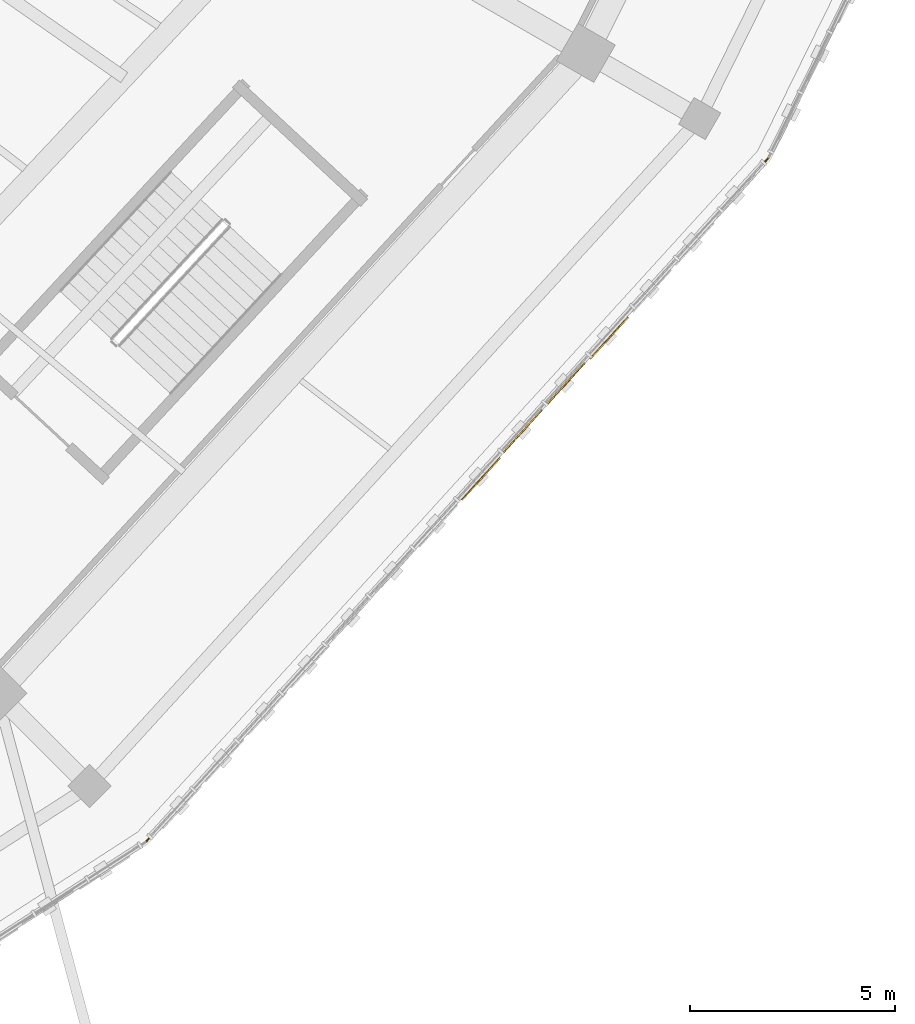
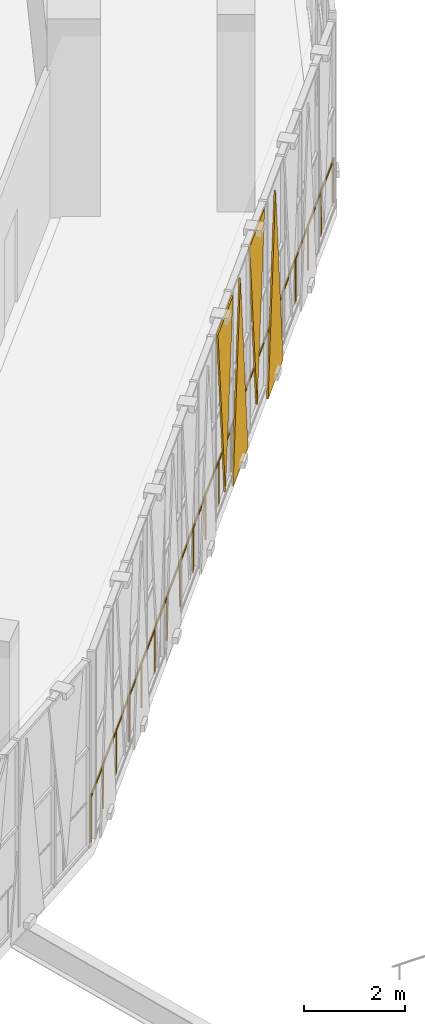
# One storey, part 147 of 179: 4 coverings, 1 railing.
"""IFC4 building model written with IfcOpenShell, lengths in metres."""

from ifc_helpers import new_model, si_unit, direction, frame, origin, origin_2d, place, context, subcontext, project, spatial, polyline, circle, outline, extrude, material, layer, layer_set, type_object, element, save


model = new_model("IFC4")

# Units and contexts
model_context = context("Model", 3, precision=1e-05, world=origin(), true_north=direction((0.0, 1.0)))
body_context = subcontext(model_context, "Body", "Model", "MODEL_VIEW")
ifc_project = project(units=[si_unit("LENGTHUNIT", "METRE"), si_unit("AREAUNIT", "SQUARE_METRE"), si_unit("VOLUMEUNIT", "CUBIC_METRE"), si_unit("PLANEANGLEUNIT", "RADIAN"), si_unit("MASSUNIT", "GRAM", prefix="KILO")], contexts=[model_context])

# Site, building, storey
site_placement = place(None, origin())
site = spatial("IfcSite", under=ifc_project, at=site_placement, CompositionType="ELEMENT")
building_placement = place(site_placement, origin())
building = spatial("IfcBuilding", under=site, at=building_placement, Name="Zevraka Park Crest Stadium", CompositionType="ELEMENT")
storey_placement = place(building_placement, frame((0.0, 0.0, 10.199951171875)))
storey = spatial("IfcBuildingStorey", under=building, at=storey_placement, Name="L02", CompositionType="ELEMENT", Elevation=10.199951171875)

# Coverings
ifc_material_1 = material(Name="Architectural golden-bronze perforated aluminium", Category="aluminium")
ifc_layer = layer(ifc_material_1, 0.034912109375)
ifc_layer_set = layer_set([ifc_layer], Name="Architectural golden-bronze perforated aluminium")
covering_type = type_object("IfcCoveringType", Name="CLD01", PredefinedType="CLADDING", material=ifc_layer_set)
covering_1_placement = place(storey_placement, frame((188.10400390625, 44.498046875, 4.47998046875), z_axis=(-0.73952552216, 0.673128493854, 0.000181206503), x_axis=(-0.673128504906, -0.739525534301, 0.0)))
element("IfcCovering", 1, at=covering_1_placement, inside=storey, type_object=covering_type, Name="Triangular Golden-Bronze Perforated Cladding L02-21-8", PredefinedType="CLADDING", context=body_context, shape_type="SweptSolid", body=[
    extrude(outline(polyline([(0.0, 0.0), (1.386221890693398, -2.710505431213761e-20), (0.6929882508091156, -4.26000983556541), (0.0, 0.0)])), origin(), (0.0, 0.0, -1.0), 0.034912109375),
])
covering_2_placement = place(storey_placement, frame((188.2119140625, 44.615966796875, -0.239990234375), z_axis=(0.739525527736, -0.67312849893, 0.000133244662), x_axis=(0.673128504906, 0.739525534301, 0.0)))
element("IfcCovering", 2, at=covering_2_placement, inside=storey, type_object=covering_type, Name="Triangular Golden-Bronze Perforated Cladding L02-21-9", PredefinedType="CLADDING", context=body_context, shape_type="SweptSolid", body=[
    extrude(outline(polyline([(0.0, 0.0), (1.386221890693398, 0.0), (0.6930530916581348, 4.560058634229961), (0.0, 0.0)])), origin(), (0.0, 0.0, -1.0), 0.034912109375),
])
covering_3_placement = place(storey_placement, frame((190.18505859375, 46.784912109375, 4.47998046875), z_axis=(0.739445708947, -0.673216174272, 0.00016191895), x_axis=(-0.673216183098, -0.73944571864, 0.0)))
element("IfcCovering", 3, at=covering_3_placement, inside=storey, type_object=covering_type, Name="Triangular Golden-Bronze Perforated Cladding L02-21-10", PredefinedType="CLADDING", context=body_context, shape_type="SweptSolid", body=[
    extrude(outline(polyline([(0.0, 0.0), (1.3860413522097383, -1.3552527156068805e-20), (0.693053014745271, 4.2600098214689295), (0.0, 0.0)])), origin(), (0.0, 0.0, -1.0), 0.034912109375),
])
covering_4_placement = place(storey_placement, frame((190.29296875, 46.903076171875, -0.239990234375), z_axis=(-0.739445718622, 0.673216183081, 7.091716e-06), x_axis=(0.673216183098, 0.73944571864, 0.0)))
element("IfcCovering", 4, at=covering_4_placement, inside=storey, type_object=covering_type, Name="Triangular Golden-Bronze Perforated Cladding L02-21-11", PredefinedType="CLADDING", context=body_context, shape_type="SweptSolid", body=[
    extrude(outline(polyline([(0.0, 0.0), (1.3860413522097383, -8.470329472543003e-22), (0.6937104524240771, -4.560058593864668), (0.0, 0.0)])), origin(), (0.0, 0.0, -1.0), 0.034912109375),
])

# Railing
ifc_material_2 = material(Name="Galvanised and bronze-finished steel balustrade", Category="steel")
railing_type = type_object("IfcRailingType", Name="GR01", PredefinedType="GUARDRAIL", material=ifc_material_2)
railing_placement = place(storey_placement, frame((194.64697265625, 51.7900390625, 0.0)))
element("IfcRailing", 5, at=railing_placement, inside=storey, type_object=railing_type, Name="Deck Edge Protection Guardrail GR01 L02-24", PredefinedType="GUARDRAIL", context=body_context, shape_type="SweptSolid", body=[
    extrude(circle(Radius=0.02392578125, at=origin_2d()), frame((0.0, 0.0, 1.076171875), z_axis=(-0.673170013171, -0.739487750654, 0.0), x_axis=(0.739487750654, -0.673170013171, 0.0)), (0.0, 0.0, 1.0), 22.5263671875),
    extrude(circle(Radius=0.02099609375, at=origin_2d()), origin(), (0.0, 0.0, 1.0), 1.052001953125),
    extrude(circle(Radius=0.02099609375, at=origin_2d()), frame((-0.798095703125, -0.876708984375, 0.0)), (0.0, 0.0, 1.0), 1.052001953125),
    extrude(circle(Radius=0.02099609375, at=origin_2d()), frame((-1.59619140625, -1.75341796875, 0.0)), (0.0, 0.0, 1.0), 1.052001953125),
    extrude(circle(Radius=0.02099609375, at=origin_2d()), frame((-2.394287109375, -2.630126953125, 0.0)), (0.0, 0.0, 1.0), 1.052001953125),
    extrude(circle(Radius=0.02099609375, at=origin_2d()), frame((-3.1923828125, -3.5068359375, 0.0)), (0.0, 0.0, 1.0), 1.052001953125),
    extrude(circle(Radius=0.02099609375, at=origin_2d()), frame((-3.990478515625, -4.3837890625, 0.0)), (0.0, 0.0, 1.0), 1.052001953125),
    extrude(circle(Radius=0.02099609375, at=origin_2d()), frame((-4.78857421875, -5.260498046875, 0.0)), (0.0, 0.0, 1.0), 1.052001953125),
    extrude(circle(Radius=0.02099609375, at=origin_2d()), frame((-5.586669921875, -6.13720703125, 0.0)), (0.0, 0.0, 1.0), 1.052001953125),
    extrude(circle(Radius=0.02099609375, at=origin_2d()), frame((-6.384765625, -7.013916015625, 0.0)), (0.0, 0.0, 1.0), 1.052001953125),
    extrude(circle(Radius=0.02099609375, at=origin_2d()), frame((-7.182861328125, -7.890625, 0.0)), (0.0, 0.0, 1.0), 1.052001953125),
    extrude(circle(Radius=0.02099609375, at=origin_2d()), frame((-7.981201171875, -8.767333984375, 0.0)), (0.0, 0.0, 1.0), 1.052001953125),
    extrude(circle(Radius=0.02099609375, at=origin_2d()), frame((-8.779296875, -9.64404296875, 0.0)), (0.0, 0.0, 1.0), 1.052001953125),
    extrude(circle(Radius=0.02099609375, at=origin_2d()), frame((-9.577392578125, -10.520751953125, 0.0)), (0.0, 0.0, 1.0), 1.052001953125),
    extrude(circle(Radius=0.02099609375, at=origin_2d()), frame((-10.37548828125, -11.3974609375, 0.0)), (0.0, 0.0, 1.0), 1.052001953125),
    extrude(circle(Radius=0.02099609375, at=origin_2d()), frame((-11.173583984375, -12.274169921875, 0.0)), (0.0, 0.0, 1.0), 1.052001953125),
    extrude(circle(Radius=0.02099609375, at=origin_2d()), frame((-11.9716796875, -13.151123046875, 0.0)), (0.0, 0.0, 1.0), 1.052001953125),
    extrude(circle(Radius=0.02099609375, at=origin_2d()), frame((-12.769775390625, -14.02783203125, 0.0)), (0.0, 0.0, 1.0), 1.052001953125),
    extrude(circle(Radius=0.02099609375, at=origin_2d()), frame((-13.56787109375, -14.904541015625, 0.0)), (0.0, 0.0, 1.0), 1.052001953125),
    extrude(circle(Radius=0.02099609375, at=origin_2d()), frame((-14.365966796875, -15.78125, 0.0)), (0.0, 0.0, 1.0), 1.052001953125),
    extrude(circle(Radius=0.02099609375, at=origin_2d()), frame((-15.1640625, -16.657958984375, 0.0)), (0.0, 0.0, 1.0), 1.052001953125),
])

save(model, "model.ifc")
